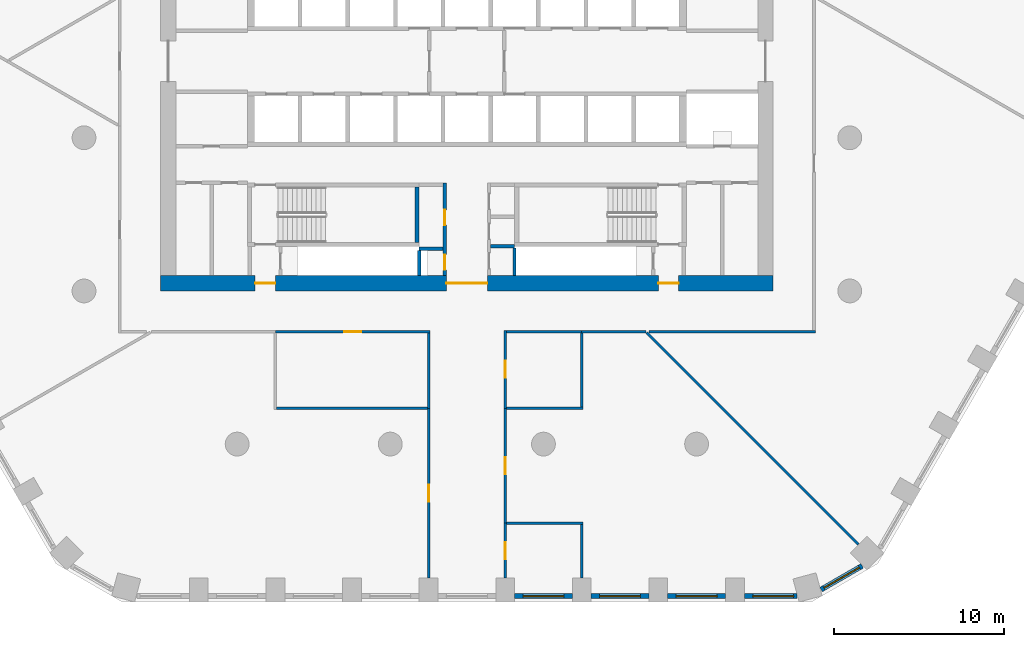
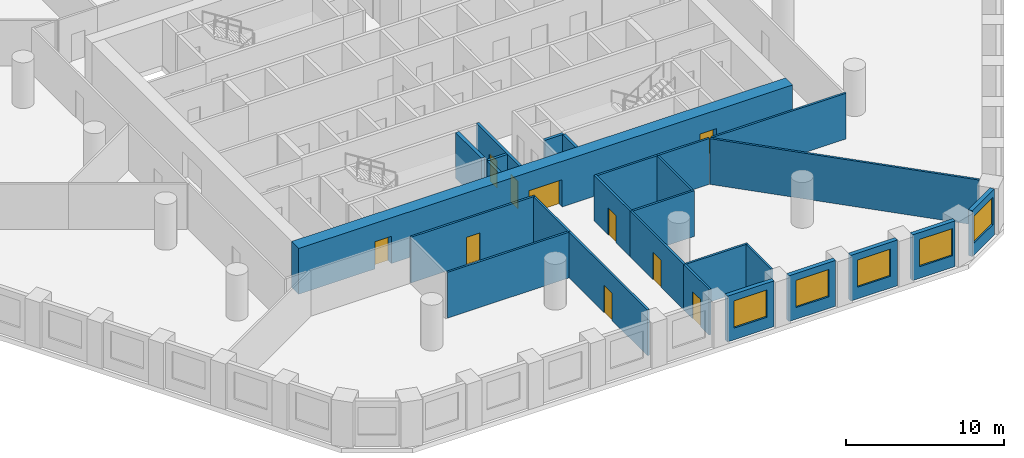
# One storey, part 3 of 10: 27 walls, 10 doors, 5 windows, 15 openings.
"""IFC4 building model written with IfcOpenShell, lengths in metres."""

from ifc_helpers import new_model, si_unit, direction, frame, frame_2d, origin, place, context, subcontext, project, spatial, rectangle, extrude, material, layer, layer_set, type_object, element, fill, save


model = new_model("IFC4")

# Units and contexts
model_context = context("Model", 3, precision=1e-05, world=origin(), true_north=direction((0.0, 1.0)))
body_context = subcontext(model_context, "Body", "Model", "MODEL_VIEW")
ifc_project = project(units=[si_unit("LENGTHUNIT", "METRE"), si_unit("AREAUNIT", "SQUARE_METRE"), si_unit("VOLUMEUNIT", "CUBIC_METRE"), si_unit("PLANEANGLEUNIT", "RADIAN"), si_unit("MASSUNIT", "GRAM", prefix="KILO")], contexts=[model_context])

# Site, building, storey
site_placement = place(None, origin())
site = spatial("IfcSite", under=ifc_project, at=site_placement, CompositionType="ELEMENT")
building_placement = place(site_placement, origin())
building = spatial("IfcBuilding", under=site, at=building_placement, Name="Dhurran Vertical Campus", CompositionType="ELEMENT")
storey_placement = place(building_placement, frame((0.0, 0.0, 45.60009765625)))
storey = spatial("IfcBuildingStorey", under=building, at=storey_placement, Name="L10", CompositionType="ELEMENT", Elevation=45.60009765625)

# Wall, opening, window
ifc_material_1 = material(Name="Precast concrete C50/60", Category="concrete")
ifc_layer_1 = layer(ifc_material_1, 0.300048828125)
ifc_layer_set_1 = layer_set([ifc_layer_1], Name="Precast concrete C50/60")
wall_type_1 = type_object("IfcWallType", Name="Precast spandrel wall 300", PredefinedType="SOLIDWALL", material=ifc_layer_set_1)
wall_1_placement = place(storey_placement, frame((2.800537109375, -31.4296875, 0.0), z_axis=(0.0, 0.0, 1.0), x_axis=(1.0, 0.0, 0.0)))
wall_1 = element("IfcWall", 1, at=wall_1_placement, inside=storey, type_object=wall_type_1, Name="EW1 L10.05", PredefinedType="SOLIDWALL", context=body_context, shape_type="SweptSolid", body=[
    extrude(rectangle(XDim=3.39892578125, YDim=0.300048828125, at=frame_2d((1.699462890625, 0.0))), origin(), (0.0, 0.0, 1.0), 3.52490234375),
])
opening_1_placement = place(wall_1_placement, frame((0.49951171875, 0.0, 0.89990234375)))
opening_1 = element("IfcOpeningElement", 2, at=opening_1_placement, cuts=wall_1, Name="Opening WT1", PredefinedType="OPENING", context=body_context, shape_type="SweptSolid", body=[
    extrude(rectangle(XDim=2.39990234375, YDim=2.10009765625, at=frame_2d((1.199951171875, 1.050048828125))), frame((0.0, 0.159912109375, 0.0), z_axis=(0.0, -1.0, 0.0), x_axis=(1.0, 0.0, 0.0)), (0.0, 0.0, 1.0), 0.320068359375),
])
ifc_material_2 = material(Name="Aluminium frame with solar-control glass", Category="aluminium")
window_type = type_object("IfcWindowType", Name="Punched window 2400 x 2100", PartitioningType="SINGLE_PANEL", PredefinedType="WINDOW", material=ifc_material_2)
window_1_placement = place(opening_1_placement, origin())
window_1 = element("IfcWindow", 3, at=window_1_placement, inside=storey, type_object=window_type, Name="WT1 L10.05", OverallHeight=2.10009765625, OverallWidth=2.39990234375, PartitioningType="SINGLE_PANEL", PredefinedType="WINDOW", context=body_context, shape_type="SweptSolid", body=[
    extrude(rectangle(XDim=2.39990234375, YDim=2.10009765625, at=frame_2d((1.199951171875, 1.050048828125))), frame((0.0, 0.030029296875, 0.0), z_axis=(0.0, -1.0, 0.0), x_axis=(1.0, 0.0, 0.0)), (0.0, 0.0, 1.0), 0.06005859375),
])
fill(opening_1, window_1)

wall_2_placement = place(storey_placement, frame((7.300537109375, -31.4296875, 0.0), z_axis=(0.0, 0.0, 1.0), x_axis=(1.0, 0.0, 0.0)))
wall_2 = element("IfcWall", 4, at=wall_2_placement, inside=storey, type_object=wall_type_1, Name="EW1 L10.06", PredefinedType="SOLIDWALL", context=body_context, shape_type="SweptSolid", body=[
    extrude(rectangle(XDim=3.39892578125, YDim=0.300048828125, at=frame_2d((1.699462890625, 0.0))), origin(), (0.0, 0.0, 1.0), 3.52490234375),
])
opening_2_placement = place(wall_2_placement, frame((0.49951171875, 0.0, 0.89990234375)))
opening_2 = element("IfcOpeningElement", 5, at=opening_2_placement, cuts=wall_2, Name="Opening WT1", PredefinedType="OPENING", context=body_context, shape_type="SweptSolid", body=[
    extrude(rectangle(XDim=2.39990234375, YDim=2.10009765625, at=frame_2d((1.199951171875, 1.050048828125))), frame((0.0, 0.159912109375, 0.0), z_axis=(0.0, -1.0, 0.0), x_axis=(1.0, 0.0, 0.0)), (0.0, 0.0, 1.0), 0.320068359375),
])
window_2_placement = place(opening_2_placement, origin())
window_2 = element("IfcWindow", 6, at=window_2_placement, inside=storey, type_object=window_type, Name="WT1 L10.06", OverallHeight=2.10009765625, OverallWidth=2.39990234375, PartitioningType="SINGLE_PANEL", PredefinedType="WINDOW", context=body_context, shape_type="SweptSolid", body=[
    extrude(rectangle(XDim=2.39990234375, YDim=2.10009765625, at=frame_2d((1.199951171875, 1.050048828125))), frame((0.0, 0.030029296875, 0.0), z_axis=(0.0, -1.0, 0.0), x_axis=(1.0, 0.0, 0.0)), (0.0, 0.0, 1.0), 0.06005859375),
])
fill(opening_2, window_2)

wall_3_placement = place(storey_placement, frame((11.800537109375, -31.4296875, 0.0), z_axis=(0.0, 0.0, 1.0), x_axis=(1.0, 0.0, 0.0)))
wall_3 = element("IfcWall", 7, at=wall_3_placement, inside=storey, type_object=wall_type_1, Name="EW1 L10.07", PredefinedType="SOLIDWALL", context=body_context, shape_type="SweptSolid", body=[
    extrude(rectangle(XDim=3.39892578125, YDim=0.300048828125, at=frame_2d((1.699462890625, 0.0))), origin(), (0.0, 0.0, 1.0), 3.52490234375),
])
opening_3_placement = place(wall_3_placement, frame((0.49951171875, 0.0, 0.89990234375)))
opening_3 = element("IfcOpeningElement", 8, at=opening_3_placement, cuts=wall_3, Name="Opening WT1", PredefinedType="OPENING", context=body_context, shape_type="SweptSolid", body=[
    extrude(rectangle(XDim=2.39990234375, YDim=2.10009765625, at=frame_2d((1.199951171875, 1.050048828125))), frame((0.0, 0.159912109375, 0.0), z_axis=(0.0, -1.0, 0.0), x_axis=(1.0, 0.0, 0.0)), (0.0, 0.0, 1.0), 0.320068359375),
])
window_3_placement = place(opening_3_placement, origin())
window_3 = element("IfcWindow", 9, at=window_3_placement, inside=storey, type_object=window_type, Name="WT1 L10.07", OverallHeight=2.10009765625, OverallWidth=2.39990234375, PartitioningType="SINGLE_PANEL", PredefinedType="WINDOW", context=body_context, shape_type="SweptSolid", body=[
    extrude(rectangle(XDim=2.39990234375, YDim=2.10009765625, at=frame_2d((1.199951171875, 1.050048828125))), frame((0.0, 0.030029296875, 0.0), z_axis=(0.0, -1.0, 0.0), x_axis=(1.0, 0.0, 0.0)), (0.0, 0.0, 1.0), 0.06005859375),
])
fill(opening_3, window_3)

wall_4_placement = place(storey_placement, frame((16.300537109375, -31.4296875, 0.0), z_axis=(0.0, 0.0, 1.0), x_axis=(1.0, 0.0, 0.0)))
wall_4 = element("IfcWall", 10, at=wall_4_placement, inside=storey, type_object=wall_type_1, Name="EW1 L10.08", PredefinedType="SOLIDWALL", context=body_context, shape_type="SweptSolid", body=[
    extrude(rectangle(XDim=3.090576171875, YDim=0.300048828125, at=frame_2d((1.54541015625, 0.0))), origin(), (0.0, 0.0, 1.0), 3.52490234375),
])
opening_4_placement = place(wall_4_placement, frame((0.49951171875, 0.0, 0.89990234375)))
opening_4 = element("IfcOpeningElement", 11, at=opening_4_placement, cuts=wall_4, Name="Opening WT1", PredefinedType="OPENING", context=body_context, shape_type="SweptSolid", body=[
    extrude(rectangle(XDim=2.39990234375, YDim=2.10009765625, at=frame_2d((1.199951171875, 1.050048828125))), frame((0.0, 0.159912109375, 0.0), z_axis=(0.0, -1.0, 0.0), x_axis=(1.0, 0.0, 0.0)), (0.0, 0.0, 1.0), 0.320068359375),
])
window_4_placement = place(opening_4_placement, origin())
window_4 = element("IfcWindow", 12, at=window_4_placement, inside=storey, type_object=window_type, Name="WT1 L10.08", OverallHeight=2.10009765625, OverallWidth=2.39990234375, PartitioningType="SINGLE_PANEL", PredefinedType="WINDOW", context=body_context, shape_type="SweptSolid", body=[
    extrude(rectangle(XDim=2.39990234375, YDim=2.10009765625, at=frame_2d((1.199951171875, 1.050048828125))), frame((0.0, 0.030029296875, 0.0), z_axis=(0.0, -1.0, 0.0), x_axis=(1.0, 0.0, 0.0)), (0.0, 0.0, 1.0), 0.06005859375),
])
fill(opening_4, window_4)

wall_5_placement = place(storey_placement, frame((20.81884765625, -31.047119140625, 0.0), z_axis=(0.0, 0.0, 1.0), x_axis=(0.866020456713, 0.500008568482, 0.0)))
wall_5 = element("IfcWall", 13, at=wall_5_placement, inside=storey, type_object=wall_type_1, Name="EW1 L10.09", PredefinedType="SOLIDWALL", context=body_context, shape_type="SweptSolid", body=[
    extrude(rectangle(XDim=2.7822265625, YDim=0.300048828125, at=frame_2d((1.39111328125, 0.0))), origin(), (0.0, 0.0, 1.0), 3.52490234375),
])
opening_5_placement = place(wall_5_placement, frame((0.191162109375, 0.0, 0.89990234375)))
opening_5 = element("IfcOpeningElement", 14, at=opening_5_placement, cuts=wall_5, Name="Opening WT1", PredefinedType="OPENING", context=body_context, shape_type="SweptSolid", body=[
    extrude(rectangle(XDim=2.39990234375, YDim=2.10009765625, at=frame_2d((1.199951171875, 1.050048828125))), frame((0.0, 0.159912109375, 0.0), z_axis=(0.0, -1.0, 0.0), x_axis=(1.0, 0.0, 0.0)), (0.0, 0.0, 1.0), 0.320068359375),
])
window_5_placement = place(opening_5_placement, origin())
window_5 = element("IfcWindow", 15, at=window_5_placement, inside=storey, type_object=window_type, Name="WT1 L10.09", OverallHeight=2.10009765625, OverallWidth=2.39990234375, PartitioningType="SINGLE_PANEL", PredefinedType="WINDOW", context=body_context, shape_type="SweptSolid", body=[
    extrude(rectangle(XDim=2.39990234375, YDim=2.10009765625, at=frame_2d((1.199951171875, 1.050048828125))), frame((0.0, 0.030029296875, 0.0), z_axis=(0.0, -1.0, 0.0), x_axis=(1.0, 0.0, 0.0)), (0.0, 0.0, 1.0), 0.06005859375),
])
fill(opening_5, window_5)

# Wall, openings, doors
ifc_material_3 = material(Name="Concrete C60/75", Category="concrete")
ifc_layer_2 = layer(ifc_material_3, 0.89990234375)
ifc_layer_set_2 = layer_set([ifc_layer_2], Name="Concrete C60/75")
wall_type_2 = type_object("IfcWallType", Name="co-CORE-WALL-C0-900", PredefinedType="SHEAR", material=ifc_layer_set_2)
wall_6_placement = place(storey_placement, frame((-18.0, -13.050048828125, 0.0), z_axis=(0.0, 0.0, 1.0), x_axis=(1.0, 0.0, 0.0)))
wall_6 = element("IfcWall", 16, at=wall_6_placement, inside=storey, type_object=wall_type_2, Name="Core wall S L10", PredefinedType="SHEAR", context=body_context, shape_type="SweptSolid", body=[
    extrude(rectangle(XDim=36.0, YDim=0.89990234375, at=frame_2d((18.0, 0.0))), origin(), (0.0, 0.0, 1.0), 3.52490234375),
])
opening_6_placement = place(wall_6_placement, frame((16.800048828125, 0.0, 0.0)))
opening_6 = element("IfcOpeningElement", 17, at=opening_6_placement, cuts=wall_6, Name="Opening CV2", PredefinedType="OPENING", context=body_context, shape_type="SweptSolid", body=[
    extrude(rectangle(XDim=2.39990234375, YDim=2.10009765625, at=frame_2d((1.199951171875, 1.050048828125))), frame((0.0, 0.4599609375, 0.0), z_axis=(0.0, -1.0, 0.0), x_axis=(1.0, 0.0, 0.0)), (0.0, 0.0, 1.0), 0.919921875),
])
opening_7_placement = place(wall_6_placement, frame((5.550048828125, 0.0, 0.0)))
opening_7 = element("IfcOpeningElement", 18, at=opening_7_placement, cuts=wall_6, Name="Opening XD3", PredefinedType="OPENING", context=body_context, shape_type="SweptSolid", body=[
    extrude(rectangle(XDim=1.199951171875, YDim=2.10009765625, at=frame_2d((0.60009765625, 1.050048828125))), frame((0.0, 0.4599609375, 0.0), z_axis=(0.0, -1.0, 0.0), x_axis=(1.0, 0.0, 0.0)), (0.0, 0.0, 1.0), 0.919921875),
])
opening_8_placement = place(wall_6_placement, frame((29.25, 0.0, 0.0)))
opening_8 = element("IfcOpeningElement", 19, at=opening_8_placement, cuts=wall_6, Name="Opening XD4", PredefinedType="OPENING", context=body_context, shape_type="SweptSolid", body=[
    extrude(rectangle(XDim=1.199951171875, YDim=2.10009765625, at=frame_2d((0.60009765625, 1.050048828125))), frame((0.0, 0.4599609375, 0.0), z_axis=(0.0, -1.0, 0.0), x_axis=(1.0, 0.0, 0.0)), (0.0, 0.0, 1.0), 0.919921875),
])
ifc_material_4 = material(Name="Fire-rated glazed door set")
door_type_1 = type_object("IfcDoorType", Name="co-D-LOBBY 2400x2100", OperationType="DOUBLE_DOOR_DOUBLE_SWING", PredefinedType="DOOR", material=ifc_material_4)
door_1_placement = place(opening_6_placement, origin())
door_1 = element("IfcDoor", 20, at=door_1_placement, inside=storey, type_object=door_type_1, Name="Core vestibule door S L10", OperationType="DOUBLE_DOOR_DOUBLE_SWING", OverallHeight=2.10009765625, OverallWidth=2.39990234375, PredefinedType="DOOR", context=body_context, shape_type="SweptSolid", body=[
    extrude(rectangle(XDim=2.39990234375, YDim=2.10009765625, at=frame_2d((1.199951171875, 1.050048828125))), frame((0.0, 0.02490234375, 0.0), z_axis=(0.0, -1.0, 0.0), x_axis=(1.0, 0.0, 0.0)), (0.0, 0.0, 1.0), 0.050048828125),
])
fill(opening_6, door_1)
ifc_material_5 = material(Name="Fire-rated steel door set", Category="steel")
door_type_2 = type_object("IfcDoorType", Name="co-D-STAIR-EXIT 1200x2100", OperationType="SINGLE_SWING_RIGHT", PredefinedType="DOOR", material=ifc_material_5)
door_2_placement = place(opening_7_placement, origin())
door_2 = element("IfcDoor", 21, at=door_2_placement, inside=storey, type_object=door_type_2, Name="Stair ST3 exit door L10", OperationType="SINGLE_SWING_RIGHT", OverallHeight=2.10009765625, OverallWidth=1.199951171875, PredefinedType="DOOR", context=body_context, shape_type="SweptSolid", body=[
    extrude(rectangle(XDim=1.199951171875, YDim=2.10009765625, at=frame_2d((0.60009765625, 1.050048828125))), frame((0.0, 0.02490234375, 0.0), z_axis=(0.0, -1.0, 0.0), x_axis=(1.0, 0.0, 0.0)), (0.0, 0.0, 1.0), 0.050048828125),
])
fill(opening_7, door_2)
door_3_placement = place(opening_8_placement, origin())
door_3 = element("IfcDoor", 22, at=door_3_placement, inside=storey, type_object=door_type_2, Name="Stair ST4 exit door L10", OperationType="SINGLE_SWING_RIGHT", OverallHeight=2.10009765625, OverallWidth=1.199951171875, PredefinedType="DOOR", context=body_context, shape_type="SweptSolid", body=[
    extrude(rectangle(XDim=1.199951171875, YDim=2.10009765625, at=frame_2d((0.60009765625, 1.050048828125))), frame((0.0, 0.02490234375, 0.0), z_axis=(0.0, -1.0, 0.0), x_axis=(1.0, 0.0, 0.0)), (0.0, 0.0, 1.0), 0.050048828125),
])
fill(opening_8, door_3)

# Walls
ifc_material_6 = material(Name="Fire-rated masonry blockwork", Category="masonry")
ifc_layer_3 = layer(ifc_material_6, 0.199951171875)
ifc_layer_set_3 = layer_set([ifc_layer_3], Name="Fire-rated masonry blockwork")
wall_type_3 = type_object("IfcWallType", Name="co-FIRE-PARTITION-200", PredefinedType="PARTITIONING", material=ifc_layer_set_3)
for number, where, z_axis, x_axis, name in (
    (23, (-2.800048828125, -11.02490234375, 0.0), (0.0, 0.0, 1.0), (1.0, 0.0, 0.0), "Core partition sl-SW-cut0 L10"),
    (24, (1.39990234375, -10.867431640625, 0.0), (0.0, 0.0, 1.0), (1.0, 0.0, 0.0), "Core partition sl-SE-cut1 L10"),
):
    element("IfcWall", number, at=place(storey_placement, frame(where, z_axis=z_axis, x_axis=x_axis)), inside=storey, type_object=wall_type_3, Name=name, PredefinedType="PARTITIONING", context=body_context, shape_type="SweptSolid", body=[
        extrude(rectangle(XDim=1.400146484375, YDim=0.199951171875, at=frame_2d((0.7001953125, 0.0))), origin(), (0.0, 0.0, 1.0), 3.52490234375),
    ])

# Wall, openings, doors
wall_7_placement = place(storey_placement, frame((-1.300048828125, -12.60009765625, 0.0), z_axis=(0.0, 0.0, 1.0), x_axis=(0.0, 1.0, 0.0)))
wall_7 = element("IfcWall", 25, at=wall_7_placement, inside=storey, type_object=wall_type_3, Name="Core partition vest-SW L10", PredefinedType="PARTITIONING", context=body_context, shape_type="SweptSolid", body=[
    extrude(rectangle(XDim=5.4501953125, YDim=0.199951171875, at=frame_2d((2.72509765625, 0.0))), origin(), (0.0, 0.0, 1.0), 3.52490234375),
])
opening_9_placement = place(wall_7_placement, frame((0.33740234375, 0.0, 0.0)))
opening_9 = element("IfcOpeningElement", 26, at=opening_9_placement, cuts=wall_7, Name="Opening T02-C1", PredefinedType="OPENING", context=body_context, shape_type="SweptSolid", body=[
    extrude(rectangle(XDim=0.89990234375, YDim=2.10009765625, at=frame_2d((0.449951171875, 1.050048828125))), frame((0.0, 0.10986328125, 0.0), z_axis=(0.0, -1.0, 0.0), x_axis=(1.0, 0.0, 0.0)), (0.0, 0.0, 1.0), 0.219970703125),
])
opening_10_placement = place(wall_7_placement, frame((2.96240234375, 0.0, 0.0)))
opening_10 = element("IfcOpeningElement", 27, at=opening_10_placement, cuts=wall_7, Name="Opening T02-C2", PredefinedType="OPENING", context=body_context, shape_type="SweptSolid", body=[
    extrude(rectangle(XDim=0.89990234375, YDim=2.10009765625, at=frame_2d((0.449951171875, 1.050048828125))), frame((0.0, 0.10986328125, 0.0), z_axis=(0.0, -1.0, 0.0), x_axis=(1.0, 0.0, 0.0)), (0.0, 0.0, 1.0), 0.219970703125),
])
ifc_material_7 = material(Name="Fire-rated timber door set", Category="wood")
door_type_3 = type_object("IfcDoorType", Name="co-D-ROOM 900x2100", OperationType="SINGLE_SWING_LEFT", PredefinedType="DOOR", material=ifc_material_7)
door_4_placement = place(opening_9_placement, origin())
door_4 = element("IfcDoor", 28, at=door_4_placement, inside=storey, type_object=door_type_3, Name="Electrical riser door L10", OperationType="SINGLE_SWING_LEFT", OverallHeight=2.10009765625, OverallWidth=0.89990234375, PredefinedType="DOOR", context=body_context, shape_type="SweptSolid", body=[
    extrude(rectangle(XDim=0.89990234375, YDim=2.10009765625, at=frame_2d((0.449951171875, 1.050048828125))), frame((0.0, 0.02490234375, 0.0), z_axis=(0.0, -1.0, 0.0), x_axis=(1.0, 0.0, 0.0)), (0.0, 0.0, 1.0), 0.050048828125),
])
fill(opening_9, door_4)
door_5_placement = place(opening_10_placement, origin())
door_5 = element("IfcDoor", 29, at=door_5_placement, inside=storey, type_object=door_type_3, Name="Plant room door L10", OperationType="SINGLE_SWING_LEFT", OverallHeight=2.10009765625, OverallWidth=0.89990234375, PredefinedType="DOOR", context=body_context, shape_type="SweptSolid", body=[
    extrude(rectangle(XDim=0.89990234375, YDim=2.10009765625, at=frame_2d((0.449951171875, 1.050048828125))), frame((0.0, 0.02490234375, 0.0), z_axis=(0.0, -1.0, 0.0), x_axis=(1.0, 0.0, 0.0)), (0.0, 0.0, 1.0), 0.050048828125),
])
fill(opening_10, door_5)

# Walls
wall_8_placement = place(storey_placement, frame((-2.800048828125, -12.59912109375, 0.0), z_axis=(0.0, 0.0, 1.0), x_axis=(0.0, 1.0, 0.0)))
element("IfcWall", 30, at=wall_8_placement, inside=storey, type_object=wall_type_3, Name="Riser enclosure wall L10", PredefinedType="PARTITIONING", context=body_context, shape_type="SweptSolid", body=[
    extrude(rectangle(XDim=1.47314453125, YDim=0.199951171875, at=frame_2d((0.736572265625, 0.0))), origin(), (0.0, 0.0, 1.0), 3.52490234375),
])
wall_9_placement = place(storey_placement, frame((2.800048828125, -10.968505859375, 0.0), z_axis=(0.0, 0.0, 1.0), x_axis=(0.0, -1.0, 0.0)))
element("IfcWall", 31, at=wall_9_placement, inside=storey, type_object=wall_type_3, Name="Riser enclosure wall L10", PredefinedType="PARTITIONING", context=body_context, shape_type="SweptSolid", body=[
    extrude(rectangle(XDim=1.630615234375, YDim=0.199951171875, at=frame_2d((0.8154296875, 0.0))), origin(), (0.0, 0.0, 1.0), 3.52490234375),
])
ifc_material_8 = material(Name="Concrete C40/50", Category="concrete")
ifc_layer_4 = layer(ifc_material_8, 0.25)
ifc_layer_set_4 = layer_set([ifc_layer_4], Name="Concrete C40/50")
wall_type_4 = type_object("IfcWallType", Name="co-STAIR-WALL-250", PredefinedType="SHEAR", material=ifc_layer_set_4)
wall_10_placement = place(storey_placement, frame((-2.925048828125, -10.64990234375, 0.0), z_axis=(0.0, 0.0, 1.0), x_axis=(0.0, 1.0, 0.0)))
element("IfcWall", 32, at=wall_10_placement, inside=storey, type_object=wall_type_4, Name="Stair ST3 enclosure wall L10", PredefinedType="SHEAR", context=body_context, shape_type="SweptSolid", body=[
    extrude(rectangle(XDim=3.25, YDim=0.25, at=frame_2d((1.625, 0.0))), origin(), (0.0, 0.0, 1.0), 3.52490234375),
])

# Wall, opening, door
ifc_material_9 = material(Name="Gypsum board corridor wall on steel studs", Category="steel")
ifc_layer_5 = layer(ifc_material_9, 0.14990234375)
ifc_layer_set_5 = layer_set([ifc_layer_5], Name="Gypsum board corridor wall on steel studs")
wall_type_5 = type_object("IfcWallType", Name="fl-CW-150 corridor wall", PredefinedType="PARTITIONING", material=ifc_layer_set_5)
wall_11_placement = place(storey_placement, frame((-11.25, -15.89990234375, 0.0), z_axis=(0.0, 0.0, 1.0), x_axis=(1.0, 0.0, 0.0)))
wall_11 = element("IfcWall", 33, at=wall_11_placement, inside=storey, type_object=wall_type_5, Name="Partition 10-17", PredefinedType="PARTITIONING", context=body_context, shape_type="SweptSolid", body=[
    extrude(rectangle(XDim=9.074951171875, YDim=0.14990234375, at=frame_2d((4.53759765625, 0.0))), origin(), (0.0, 0.0, 1.0), 3.52490234375),
])
opening_11_placement = place(wall_11_placement, frame((4.03759765625, 0.0, 0.0)))
opening_11 = element("IfcOpeningElement", 34, at=opening_11_placement, cuts=wall_11, Name="Opening T02.07", PredefinedType="OPENING", context=body_context, shape_type="SweptSolid", body=[
    extrude(rectangle(XDim=1.0, YDim=2.10009765625, at=frame_2d((0.5, 1.050048828125))), frame((0.0, 0.0849609375, 0.0), z_axis=(0.0, -1.0, 0.0), x_axis=(1.0, 0.0, 0.0)), (0.0, 0.0, 1.0), 0.169921875),
])
ifc_material_10 = material(Name="Solid-core timber door set, fire-rated", Category="wood")
door_type_4 = type_object("IfcDoorType", Name="fl-D-1000x2100", OperationType="SINGLE_SWING_LEFT", PredefinedType="DOOR", material=ifc_material_10)
door_6_placement = place(opening_11_placement, origin())
door_6 = element("IfcDoor", 35, at=door_6_placement, inside=storey, type_object=door_type_4, Name="Door 10.07", OperationType="SINGLE_SWING_LEFT", OverallHeight=2.10009765625, OverallWidth=1.0, PredefinedType="DOOR", context=body_context, shape_type="SweptSolid", body=[
    extrude(rectangle(XDim=1.0, YDim=2.10009765625, at=frame_2d((0.5, 1.050048828125))), frame((0.0, 0.02490234375, 0.0), z_axis=(0.0, -1.0, 0.0), x_axis=(1.0, 0.0, 0.0)), (0.0, 0.0, 1.0), 0.050048828125),
])
fill(opening_11, door_6)

wall_12_placement = place(storey_placement, frame((-2.25, -30.35986328125, 0.0), z_axis=(0.0, 0.0, 1.0), x_axis=(0.0, 1.0, 0.0)))
wall_12 = element("IfcWall", 36, at=wall_12_placement, inside=storey, type_object=wall_type_5, Name="Partition 10-18", PredefinedType="PARTITIONING", context=body_context, shape_type="SweptSolid", body=[
    extrude(rectangle(XDim=9.9599609375, YDim=0.14990234375, at=frame_2d((4.97998046875, 0.0))), origin(), (0.0, 0.0, 1.0), 3.52490234375),
])
opening_12_placement = place(wall_12_placement, frame((4.47998046875, 0.0, 0.0)))
opening_12 = element("IfcOpeningElement", 37, at=opening_12_placement, cuts=wall_12, Name="Opening T02.05", PredefinedType="OPENING", context=body_context, shape_type="SweptSolid", body=[
    extrude(rectangle(XDim=1.0, YDim=2.10009765625, at=frame_2d((0.5, 1.050048828125))), frame((0.0, 0.0849609375, 0.0), z_axis=(0.0, -1.0, 0.0), x_axis=(1.0, 0.0, 0.0)), (0.0, 0.0, 1.0), 0.169921875),
])
door_7_placement = place(opening_12_placement, origin())
door_7 = element("IfcDoor", 38, at=door_7_placement, inside=storey, type_object=door_type_4, Name="Door 10.05", OperationType="SINGLE_SWING_RIGHT", OverallHeight=2.10009765625, OverallWidth=1.0, PredefinedType="DOOR", context=body_context, shape_type="SweptSolid", body=[
    extrude(rectangle(XDim=1.0, YDim=2.10009765625, at=frame_2d((0.5, 1.050048828125))), frame((0.0, 0.02490234375, 0.0), z_axis=(0.0, -1.0, 0.0), x_axis=(1.0, 0.0, 0.0)), (0.0, 0.0, 1.0), 0.050048828125),
])
fill(opening_12, door_7)

# Wall
wall_13_placement = place(storey_placement, frame((-2.25, -20.39990234375, 0.0), z_axis=(0.0, 0.0, 1.0), x_axis=(0.0, 1.0, 0.0)))
element("IfcWall", 39, at=wall_13_placement, inside=storey, type_object=wall_type_5, Name="Partition 10-19", PredefinedType="PARTITIONING", context=body_context, shape_type="SweptSolid", body=[
    extrude(rectangle(XDim=4.4248046875, YDim=0.14990234375, at=frame_2d((2.21240234375, 0.0))), origin(), (0.0, 0.0, 1.0), 3.52490234375),
])

# Wall, opening, door
wall_14_placement = place(storey_placement, frame((2.25, -27.14990234375, 0.0), z_axis=(0.0, 0.0, 1.0), x_axis=(0.0, -1.0, 0.0)))
wall_14 = element("IfcWall", 40, at=wall_14_placement, inside=storey, type_object=wall_type_5, Name="Partition 10-21", PredefinedType="PARTITIONING", context=body_context, shape_type="SweptSolid", body=[
    extrude(rectangle(XDim=3.2099609375, YDim=0.14990234375, at=frame_2d((1.60498046875, 0.0))), origin(), (0.0, 0.0, 1.0), 3.52490234375),
])
opening_13_placement = place(wall_14_placement, frame((1.10498046875, 0.0, 0.0)))
opening_13 = element("IfcOpeningElement", 41, at=opening_13_placement, cuts=wall_14, Name="Opening T02.08", PredefinedType="OPENING", context=body_context, shape_type="SweptSolid", body=[
    extrude(rectangle(XDim=1.0, YDim=2.10009765625, at=frame_2d((0.5, 1.050048828125))), frame((0.0, 0.0849609375, 0.0), z_axis=(0.0, -1.0, 0.0), x_axis=(1.0, 0.0, 0.0)), (0.0, 0.0, 1.0), 0.169921875),
])
door_8_placement = place(opening_13_placement, origin())
door_8 = element("IfcDoor", 42, at=door_8_placement, inside=storey, type_object=door_type_4, Name="Door 10.08", OperationType="SINGLE_SWING_RIGHT", OverallHeight=2.10009765625, OverallWidth=1.0, PredefinedType="DOOR", context=body_context, shape_type="SweptSolid", body=[
    extrude(rectangle(XDim=1.0, YDim=2.10009765625, at=frame_2d((0.5, 1.050048828125))), frame((0.0, 0.02490234375, 0.0), z_axis=(0.0, -1.0, 0.0), x_axis=(1.0, 0.0, 0.0)), (0.0, 0.0, 1.0), 0.050048828125),
])
fill(opening_13, door_8)

wall_15_placement = place(storey_placement, frame((2.25, -20.39990234375, 0.0), z_axis=(0.0, 0.0, 1.0), x_axis=(0.0, -1.0, 0.0)))
wall_15 = element("IfcWall", 43, at=wall_15_placement, inside=storey, type_object=wall_type_5, Name="Partition 10-22", PredefinedType="PARTITIONING", context=body_context, shape_type="SweptSolid", body=[
    extrude(rectangle(XDim=6.75, YDim=0.14990234375, at=frame_2d((3.375, 0.0))), origin(), (0.0, 0.0, 1.0), 3.52490234375),
])
opening_14_placement = place(wall_15_placement, frame((2.875, 0.0, 0.0)))
opening_14 = element("IfcOpeningElement", 44, at=opening_14_placement, cuts=wall_15, Name="Opening T02.12", PredefinedType="OPENING", context=body_context, shape_type="SweptSolid", body=[
    extrude(rectangle(XDim=1.0, YDim=2.10009765625, at=frame_2d((0.5, 1.050048828125))), frame((0.0, 0.0849609375, 0.0), z_axis=(0.0, -1.0, 0.0), x_axis=(1.0, 0.0, 0.0)), (0.0, 0.0, 1.0), 0.169921875),
])
door_9_placement = place(opening_14_placement, origin())
door_9 = element("IfcDoor", 45, at=door_9_placement, inside=storey, type_object=door_type_4, Name="Door 10.12", OperationType="SINGLE_SWING_LEFT", OverallHeight=2.10009765625, OverallWidth=1.0, PredefinedType="DOOR", context=body_context, shape_type="SweptSolid", body=[
    extrude(rectangle(XDim=1.0, YDim=2.10009765625, at=frame_2d((0.5, 1.050048828125))), frame((0.0, 0.02490234375, 0.0), z_axis=(0.0, -1.0, 0.0), x_axis=(1.0, 0.0, 0.0)), (0.0, 0.0, 1.0), 0.050048828125),
])
fill(opening_14, door_9)

wall_16_placement = place(storey_placement, frame((2.25, -15.824951171875, 0.0), z_axis=(0.0, 0.0, 1.0), x_axis=(0.0, -1.0, 0.0)))
wall_16 = element("IfcWall", 46, at=wall_16_placement, inside=storey, type_object=wall_type_5, Name="Partition 10-24", PredefinedType="PARTITIONING", context=body_context, shape_type="SweptSolid", body=[
    extrude(rectangle(XDim=4.574951171875, YDim=0.14990234375, at=frame_2d((2.28759765625, 0.0))), origin(), (0.0, 0.0, 1.0), 3.52490234375),
])
opening_15_placement = place(wall_16_placement, frame((1.78759765625, 0.0, 0.0)))
opening_15 = element("IfcOpeningElement", 47, at=opening_15_placement, cuts=wall_16, Name="Opening T02.09", PredefinedType="OPENING", context=body_context, shape_type="SweptSolid", body=[
    extrude(rectangle(XDim=1.0, YDim=2.10009765625, at=frame_2d((0.5, 1.050048828125))), frame((0.0, 0.0849609375, 0.0), z_axis=(0.0, -1.0, 0.0), x_axis=(1.0, 0.0, 0.0)), (0.0, 0.0, 1.0), 0.169921875),
])
door_10_placement = place(opening_15_placement, origin())
door_10 = element("IfcDoor", 48, at=door_10_placement, inside=storey, type_object=door_type_4, Name="Door 10.09", OperationType="SINGLE_SWING_LEFT", OverallHeight=2.10009765625, OverallWidth=1.0, PredefinedType="DOOR", context=body_context, shape_type="SweptSolid", body=[
    extrude(rectangle(XDim=1.0, YDim=2.10009765625, at=frame_2d((0.5, 1.050048828125))), frame((0.0, 0.02490234375, 0.0), z_axis=(0.0, -1.0, 0.0), x_axis=(1.0, 0.0, 0.0)), (0.0, 0.0, 1.0), 0.050048828125),
])
fill(opening_15, door_10)

# Walls
wall_17_placement = place(storey_placement, frame((2.324951171875, -15.89990234375, 0.0), z_axis=(0.0, 0.0, 1.0), x_axis=(1.0, 0.0, 0.0)))
element("IfcWall", 49, at=wall_17_placement, inside=storey, type_object=wall_type_5, Name="Partition 10-26", PredefinedType="PARTITIONING", context=body_context, shape_type="SweptSolid", body=[
    extrude(rectangle(XDim=4.425048828125, YDim=0.14990234375, at=frame_2d((2.21240234375, 0.0))), origin(), (0.0, 0.0, 1.0), 3.52490234375),
])
wall_18_placement = place(storey_placement, frame((6.75, -15.89990234375, 0.0), z_axis=(0.0, 0.0, 1.0), x_axis=(1.0, 0.0, 0.0)))
element("IfcWall", 50, at=wall_18_placement, inside=storey, type_object=wall_type_5, Name="Partition 10-33", PredefinedType="PARTITIONING", context=body_context, shape_type="SweptSolid", body=[
    extrude(rectangle(XDim=3.76708984375, YDim=0.14990234375, at=frame_2d((1.883544921875, 0.0))), origin(), (0.0, 0.0, 1.0), 3.52490234375),
])
wall_19_placement = place(storey_placement, frame((10.69189453125, -15.89990234375, 0.0), z_axis=(0.0, 0.0, 1.0), x_axis=(1.0, 0.0, 0.0)))
element("IfcWall", 51, at=wall_19_placement, inside=storey, type_object=wall_type_5, Name="Partition 10-34", PredefinedType="PARTITIONING", context=body_context, shape_type="SweptSolid", body=[
    extrude(rectangle(XDim=9.783203125, YDim=0.14990234375, at=frame_2d((4.8916015625, 0.0))), origin(), (0.0, 0.0, 1.0), 3.52490234375),
])
ifc_material_11 = material(Name="Gypsum board partition on steel studs", Category="steel")
ifc_layer_6 = layer(ifc_material_11, 0.14990234375)
ifc_layer_set_6 = layer_set([ifc_layer_6], Name="Gypsum board partition on steel studs")
wall_type_6 = type_object("IfcWallType", Name="fl-PW-150 fixed partition", PredefinedType="PARTITIONING", material=ifc_layer_set_6)
wall_20_placement = place(storey_placement, frame((-11.175048828125, -20.39990234375, 0.0), z_axis=(0.0, 0.0, 1.0), x_axis=(1.0, 0.0, 0.0)))
element("IfcWall", 52, at=wall_20_placement, inside=storey, type_object=wall_type_6, Name="Partition 10-16", PredefinedType="PARTITIONING", context=body_context, shape_type="SweptSolid", body=[
    extrude(rectangle(XDim=8.85009765625, YDim=0.14990234375, at=frame_2d((4.425048828125, 0.0))), origin(), (0.0, 0.0, 1.0), 3.52490234375),
])
for number, where, z_axis, x_axis, name in (
    (53, (2.324951171875, -27.14990234375, 0.0), (0.0, 0.0, 1.0), (1.0, 0.0, 0.0), "Partition 10-23"),
    (54, (6.824951171875, -20.39990234375, 0.0), (0.0, 0.0, 1.0), (-1.0, 0.0, 0.0), "Partition 10-25"),
):
    element("IfcWall", number, at=place(storey_placement, frame(where, z_axis=z_axis, x_axis=x_axis)), inside=storey, type_object=wall_type_6, Name=name, PredefinedType="PARTITIONING", context=body_context, shape_type="SweptSolid", body=[
        extrude(rectangle(XDim=4.5, YDim=0.14990234375, at=frame_2d((2.25, 0.0))), origin(), (0.0, 0.0, 1.0), 3.52490234375),
    ])
wall_21_placement = place(storey_placement, frame((6.75, -27.22509765625, 0.0), z_axis=(0.0, 0.0, 1.0), x_axis=(0.0, -1.0, 0.0)))
element("IfcWall", 55, at=wall_21_placement, inside=storey, type_object=wall_type_6, Name="Partition 10-31", PredefinedType="PARTITIONING", context=body_context, shape_type="SweptSolid", body=[
    extrude(rectangle(XDim=3.134765625, YDim=0.14990234375, at=frame_2d((1.5673828125, 0.0))), origin(), (0.0, 0.0, 1.0), 3.52490234375),
])
wall_22_placement = place(storey_placement, frame((6.75, -15.97509765625, 0.0), z_axis=(0.0, 0.0, 1.0), x_axis=(0.0, -1.0, 0.0)))
element("IfcWall", 56, at=wall_22_placement, inside=storey, type_object=wall_type_6, Name="Partition 10-32", PredefinedType="PARTITIONING", context=body_context, shape_type="SweptSolid", body=[
    extrude(rectangle(XDim=4.349853515625, YDim=0.14990234375, at=frame_2d((2.1748046875, 0.0))), origin(), (0.0, 0.0, 1.0), 3.52490234375),
])
wall_23_placement = place(storey_placement, frame((10.570068359375, -15.952880859375, 0.0), z_axis=(0.0, 0.0, 1.0), x_axis=(0.707099842679, -0.707113719626, 0.0)))
element("IfcWall", 57, at=wall_23_placement, inside=storey, type_object=wall_type_6, Name="Partition 10-35", PredefinedType="PARTITIONING", context=body_context, shape_type="SweptSolid", body=[
    extrude(rectangle(XDim=17.59326171875, YDim=0.14990234375, at=frame_2d((8.796630859375, 0.0))), origin(), (0.0, 0.0, 1.0), 3.52490234375),
])

save(model, "model.ifc")
